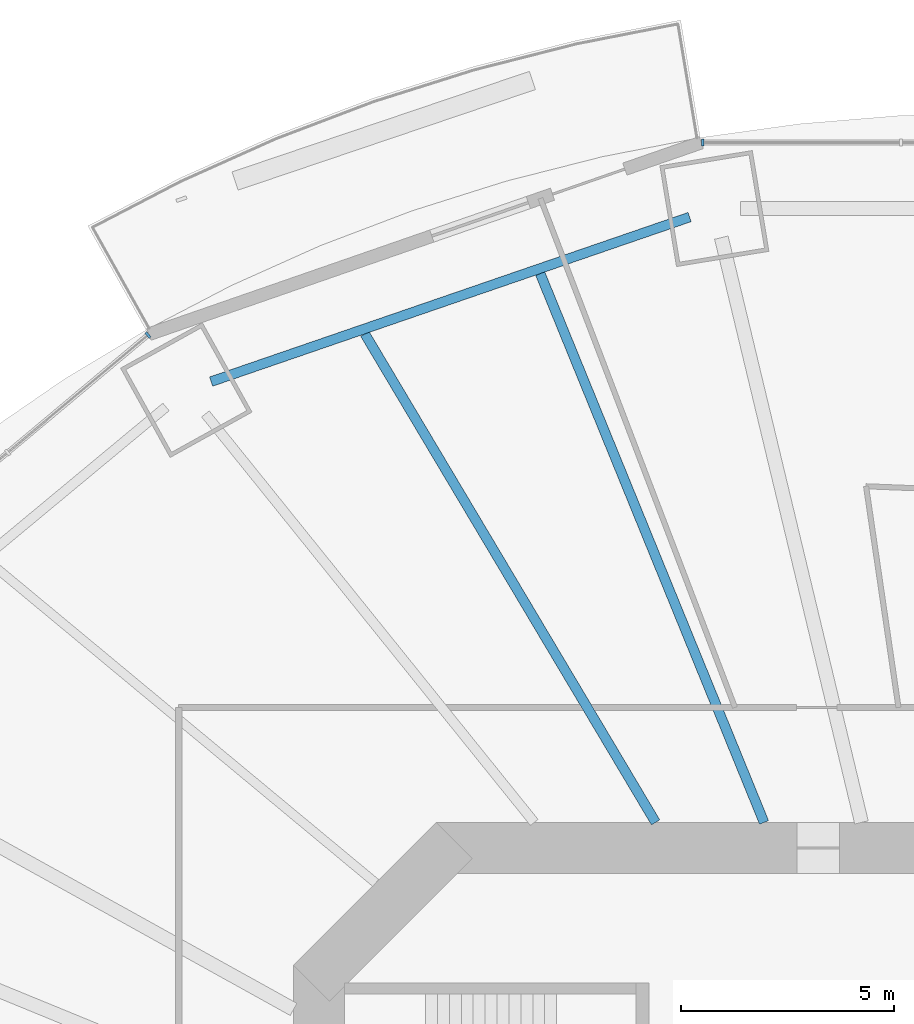
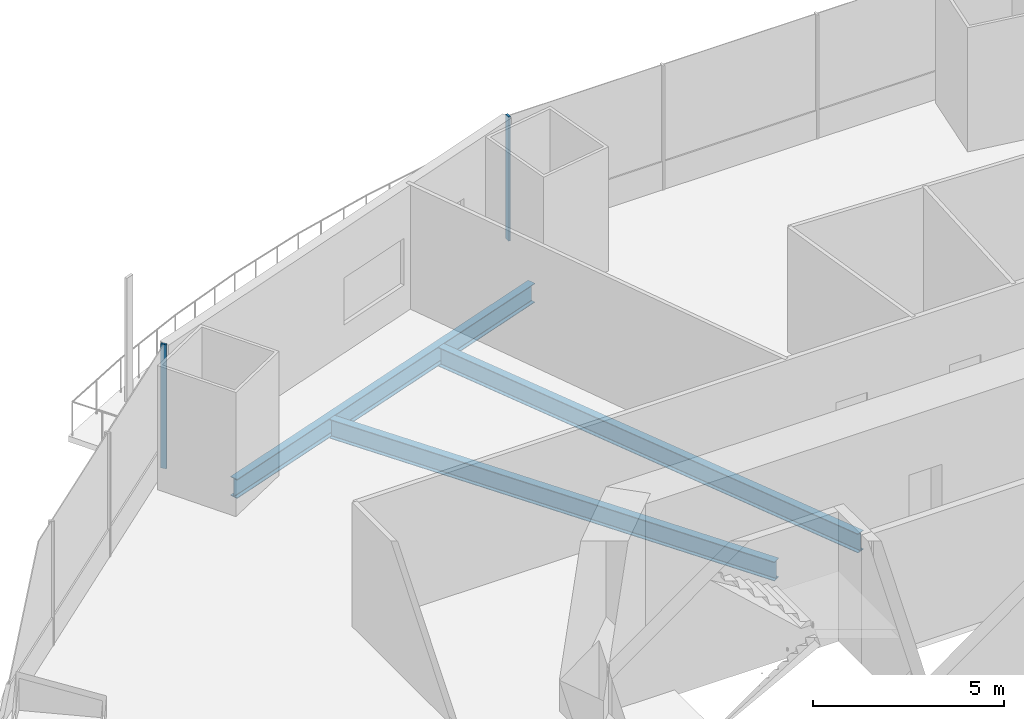
# One storey, part 7 of 23: 3 beams, 2 members, 2 elements without a shape of their own.
"""IFC4 building model written with IfcOpenShell, lengths in metres."""

from ifc_helpers import new_model, si_unit, direction, frame, origin, origin_2d, place, context, subcontext, project, spatial, rectangle, i_section, extrude, material, material_profile, profile_set, type_object, element, aggregate, save


model = new_model("IFC4")

# Units and contexts
model_context = context("Model", 3, precision=1e-05, world=origin(), true_north=direction((0.0, 1.0)))
body_context = subcontext(model_context, "Body", "Model", "MODEL_VIEW")
ifc_project = project(units=[si_unit("LENGTHUNIT", "METRE"), si_unit("AREAUNIT", "SQUARE_METRE"), si_unit("VOLUMEUNIT", "CUBIC_METRE"), si_unit("PLANEANGLEUNIT", "RADIAN"), si_unit("MASSUNIT", "GRAM", prefix="KILO")], contexts=[model_context])

# Site, building, storey
site_placement = place(None, origin())
site = spatial("IfcSite", under=ifc_project, at=site_placement, CompositionType="ELEMENT")
building_placement = place(site_placement, origin())
building = spatial("IfcBuilding", under=site, at=building_placement, Name="Marenthal Gate Tower", CompositionType="ELEMENT")
storey_placement = place(building_placement, frame((0.0, 0.0, 62.050048828125)))
storey = spatial("IfcBuildingStorey", under=building, at=storey_placement, Name="L11", CompositionType="ELEMENT", Elevation=62.050048828125)

# Curtain wall, member
ifc_material_1 = material(Name="Aluminium and glass", Category="aluminium")
curtain_wall_type = type_object("IfcCurtainWallType", Name="Curtain wall typical low", PredefinedType="NOTDEFINED", material=ifc_material_1)
curtain_wall_1_placement = place(storey_placement, origin())
curtain_wall_1 = element("IfcCurtainWall", 1, at=curtain_wall_1_placement, inside=storey, type_object=curtain_wall_type, Name="Curtain wall L11 bay 4", PredefinedType="NOTDEFINED")
ifc_material_2 = material(Name="Aluminium", Category="aluminium")
ifc_material_profile_1 = material_profile(ifc_material_2, rectangle(XDim=0.159912109375, YDim=0.06005859375, at=origin_2d()), Name="60x160 aluminium mullion")
ifc_profile_set_1 = profile_set([ifc_material_profile_1], Name="Aluminium")
member_type = type_object("IfcMemberType", Name="Mullion 60x160 typical low", PredefinedType="MULLION", material=ifc_profile_set_1)
member_1_placement = place(storey_placement, frame((-6.9921875, 29.569580078125, 0.0), z_axis=(0.0, 0.0, 1.0), x_axis=(0.0, -1.0, 0.0)))
member_1 = element("IfcMember", 2, at=member_1_placement, type_object=member_type, Name="Mullion L11 bay 4.4", PredefinedType="MULLION", context=body_context, shape_type="SweptSolid", body=[
    extrude(rectangle(XDim=0.159912109375, YDim=0.06005859375, at=origin_2d()), origin(), (0.0, 0.0, 1.0), 3.969970703125),
])
aggregate(curtain_wall_1, [member_1])

curtain_wall_2_placement = place(storey_placement, origin())
curtain_wall_2 = element("IfcCurtainWall", 3, at=curtain_wall_2_placement, inside=storey, type_object=curtain_wall_type, Name="Curtain wall L11 bay 6", PredefinedType="NOTDEFINED")
member_2_placement = place(storey_placement, frame((-20.020751953125, 25.048828125, 0.0), z_axis=(0.0, 0.0, 1.0), x_axis=(0.642111737517, -0.766611059497, 0.0)))
member_2 = element("IfcMember", 4, at=member_2_placement, type_object=member_type, Name="Mullion L11 bay 6.1", PredefinedType="MULLION", context=body_context, shape_type="SweptSolid", body=[
    extrude(rectangle(XDim=0.159912109375, YDim=0.06005859375, at=origin_2d()), origin(), (0.0, 0.0, 1.0), 3.969970703125),
])
aggregate(curtain_wall_2, [member_2])

# Beams
ifc_material_3 = material(Name="Steel S355", Category="steel")
ifc_material_profile_2 = material_profile(ifc_material_3, i_section(OverallWidth=0.22900390625, OverallDepth=0.612060546875, WebThickness=0.011962890625, FlangeThickness=0.01953125, FilletRadius=0.0126953125, at=origin_2d()), Name="W610X125")
ifc_profile_set_2 = profile_set([ifc_material_profile_2], Name="Steel S355")
beam_type = type_object("IfcBeamType", Name="W610X125 beam", PredefinedType="BEAM", material=ifc_profile_set_2)
beam_1_placement = place(storey_placement, frame((-10.805908203125, 26.491943359375, -0.486083984375), z_axis=(0.377685635209, -0.925933885845, 0.0), x_axis=(0.925933885845, 0.377685635209, 0.0)))
element("IfcBeam", 5, at=beam_1_placement, inside=storey, type_object=beam_type, Name="BM-L11-23", PredefinedType="BEAM", context=body_context, shape_type="SweptSolid", body=[
    extrude(i_section(OverallWidth=0.22900390625, OverallDepth=0.612060546875, WebThickness=0.011962890625, FlangeThickness=0.01953125, FilletRadius=0.0126953125, at=origin_2d()), origin(), (0.0, 0.0, 1.0), 13.923095703125),
])
beam_2_placement = place(storey_placement, frame((-14.9248046875, 25.07568359375, -0.486083984375), z_axis=(0.51146264721, -0.859305510578, 0.0), x_axis=(0.859305510578, 0.51146264721, 0.0)))
element("IfcBeam", 6, at=beam_2_placement, inside=storey, type_object=beam_type, Name="BM-L11-24", PredefinedType="BEAM", context=body_context, shape_type="SweptSolid", body=[
    extrude(i_section(OverallWidth=0.22900390625, OverallDepth=0.612060546875, WebThickness=0.011962890625, FlangeThickness=0.01953125, FilletRadius=0.0126953125, at=origin_2d()), origin(), (0.0, 0.0, 1.0), 13.3544921875),
])
beam_3_placement = place(storey_placement, frame((-7.296142578125, 27.81982421875, -0.486083984375), z_axis=(-0.945656601656, -0.325167021304, 0.0), x_axis=(0.325167021304, -0.945656601656, 0.0)))
element("IfcBeam", 7, at=beam_3_placement, inside=storey, type_object=beam_type, Name="BM-L11-45", PredefinedType="BEAM", context=body_context, shape_type="SweptSolid", body=[
    extrude(i_section(OverallWidth=0.22900390625, OverallDepth=0.612060546875, WebThickness=0.011962890625, FlangeThickness=0.01953125, FilletRadius=0.0126953125, at=origin_2d()), origin(), (0.0, 0.0, 1.0), 11.88623046875),
])

save(model, "model.ifc")
